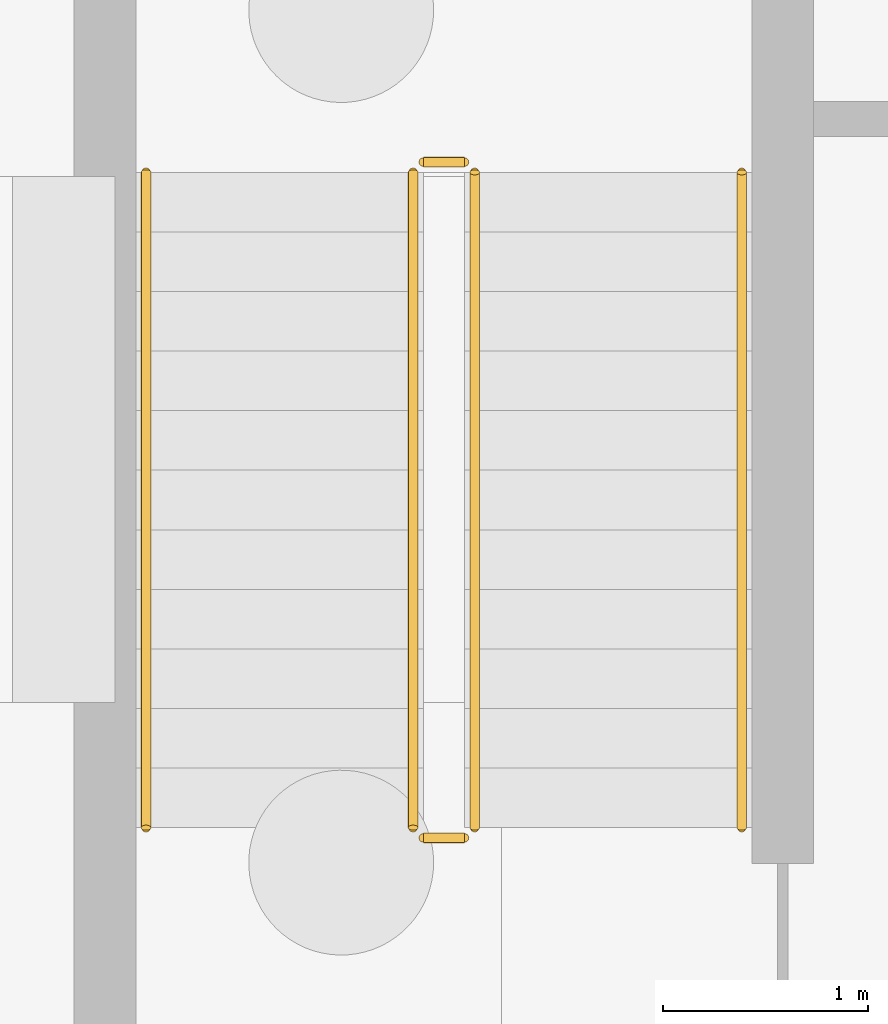
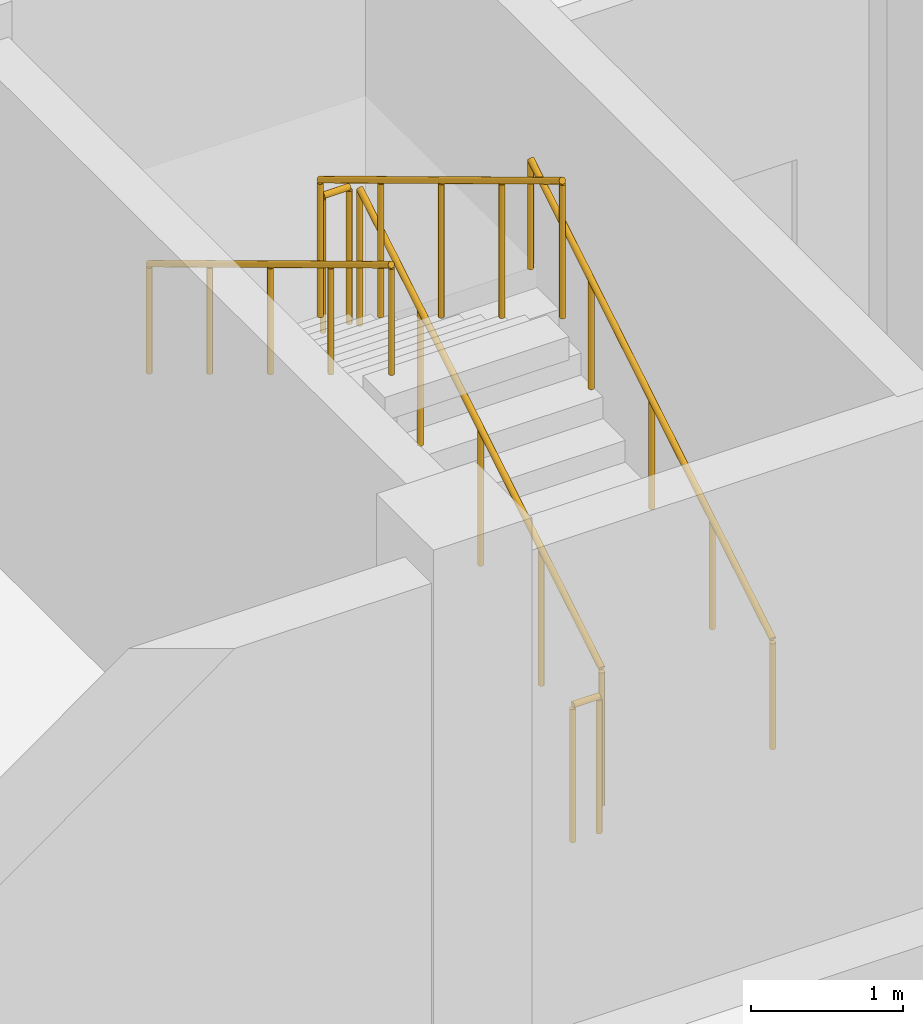
# One storey, part 33 of 36: 6 railings.
"""IFC4 building model written with IfcOpenShell, lengths in metres."""

from ifc_helpers import new_model, si_unit, derived_unit, direction, frame, origin, origin_2d, place, context, subcontext, project, spatial, circle, extrude, material, type_object, element, save


model = new_model("IFC4")

# Units and contexts
model_context = context("Model", 3, precision=1e-05, world=origin(), true_north=direction((0.0, 1.0)))
body_context = subcontext(model_context, "Body", "Model", "MODEL_VIEW")
ifc_project = project(units=[si_unit("LENGTHUNIT", "METRE"), si_unit("AREAUNIT", "SQUARE_METRE"), si_unit("VOLUMEUNIT", "CUBIC_METRE"), si_unit("PLANEANGLEUNIT", "RADIAN"), si_unit("MASSUNIT", "GRAM", prefix="KILO"), derived_unit("THERMALTRANSMITTANCEUNIT", [(si_unit("MASSUNIT", "GRAM", prefix="KILO"), 1), (si_unit("TIMEUNIT", "SECOND"), -3), (si_unit("THERMODYNAMICTEMPERATUREUNIT", "KELVIN"), -1)])], contexts=[model_context])

# Site, building, storey
site_placement = place(None, origin())
site = spatial("IfcSite", under=ifc_project, at=site_placement, CompositionType="ELEMENT")
building_placement = place(site_placement, origin())
building = spatial("IfcBuilding", under=site, at=building_placement, Name="Ochrekiln Boulevard Commons", CompositionType="ELEMENT")
storey_placement = place(building_placement, frame((0.0, 0.0, -4.199951171875)))
storey = spatial("IfcBuildingStorey", under=building, at=storey_placement, Name="B1", CompositionType="ELEMENT", Elevation=-4.199951171875)

# Railings
ifc_material = material(Name="Brushed stainless steel 316 tubular railing", Category="steel")
railing_type_1 = type_object("IfcRailingType", Name="RLG-HDR-900", PredefinedType="HANDRAIL", material=ifc_material)
railing_1_placement = place(storey_placement, frame((159.449951171875, 1.8701171875, 0.175048828125)))
element("IfcRailing", 1, at=railing_1_placement, inside=storey, type_object=railing_type_1, Name="B1 ST-C1 stair handrail 1", PredefinedType="HANDRAIL", context=body_context, shape_type="SweptSolid", body=[
    extrude(circle(Radius=0.02392578125, at=origin_2d()), frame((0.0, 0.0, 0.8759765625), z_axis=(0.0, 0.856206652436, 0.516633495163), x_axis=(-1.0, 0.0, 0.0)), (0.0, 0.0, 1.0), 3.7255859375),
    extrude(circle(Radius=0.02099609375, at=origin_2d()), origin(), (0.0, 0.0, 1.0), 0.851806640625),
    extrude(circle(Radius=0.02099609375, at=origin_2d()), frame((0.0, 0.79736328125, 0.481201171875)), (0.0, 0.0, 1.0), 0.851806640625),
    extrude(circle(Radius=0.02099609375, at=origin_2d()), frame((0.0, 1.594970703125, 0.96240234375)), (0.0, 0.0, 1.0), 0.851806640625),
    extrude(circle(Radius=0.02099609375, at=origin_2d()), frame((0.0, 2.392578125, 1.443603515625)), (0.0, 0.0, 1.0), 0.851806640625),
    extrude(circle(Radius=0.02099609375, at=origin_2d()), frame((0.0, 3.18994140625, 1.9248046875)), (0.0, 0.0, 1.0), 0.851806640625),
])
railing_2_placement = place(storey_placement, frame((156.550048828125, 5.06005859375, 2.27490234375)))
element("IfcRailing", 2, at=railing_2_placement, inside=storey, type_object=railing_type_1, Name="B1 ST-C1 stair handrail 2", PredefinedType="HANDRAIL", context=body_context, shape_type="SweptSolid", body=[
    extrude(circle(Radius=0.02392578125, at=origin_2d()), frame((0.0, 0.0, 0.8759765625), z_axis=(0.0, -0.856177665481, 0.516681531633), x_axis=(1.0, 0.0, 0.0)), (0.0, 0.0, 1.0), 3.725830078125),
    extrude(circle(Radius=0.02099609375, at=origin_2d()), origin(), (0.0, 0.0, 1.0), 0.851806640625),
    extrude(circle(Radius=0.02099609375, at=origin_2d()), frame((0.0, -0.79736328125, 0.481201171875)), (0.0, 0.0, 1.0), 0.851806640625),
    extrude(circle(Radius=0.02099609375, at=origin_2d()), frame((0.0, -1.594970703125, 0.96240234375)), (0.0, 0.0, 1.0), 0.851806640625),
    extrude(circle(Radius=0.02099609375, at=origin_2d()), frame((0.0, -2.392578125, 1.44384765625)), (0.0, 0.0, 1.0), 0.851806640625),
    extrude(circle(Radius=0.02099609375, at=origin_2d()), frame((0.0, -3.18994140625, 1.925048828125)), (0.0, 0.0, 1.0), 0.851806640625),
])
railing_type_2 = type_object("IfcRailingType", Name="RLG-STR-1120", PredefinedType="BALUSTRADE", material=ifc_material)
railing_3_placement = place(storey_placement, frame((158.14990234375, 1.8701171875, 0.175048828125)))
element("IfcRailing", 3, at=railing_3_placement, inside=storey, type_object=railing_type_2, Name="B1 ST-C1 stair guard 1", PredefinedType="BALUSTRADE", context=body_context, shape_type="SweptSolid", body=[
    extrude(circle(Radius=0.02392578125, at=origin_2d()), frame((0.0, 0.0, 1.09619140625), z_axis=(0.0, 0.856206652436, 0.516633495163), x_axis=(-1.0, 0.0, 0.0)), (0.0, 0.0, 1.0), 3.7255859375),
    extrude(circle(Radius=0.02099609375, at=origin_2d()), origin(), (0.0, 0.0, 1.0), 1.072021484375),
    extrude(circle(Radius=0.02099609375, at=origin_2d()), frame((0.0, 0.79736328125, 0.481201171875)), (0.0, 0.0, 1.0), 1.072021484375),
    extrude(circle(Radius=0.02099609375, at=origin_2d()), frame((0.0, 1.594970703125, 0.96240234375)), (0.0, 0.0, 1.0), 1.072021484375),
    extrude(circle(Radius=0.02099609375, at=origin_2d()), frame((0.0, 2.392578125, 1.443603515625)), (0.0, 0.0, 1.0), 1.072021484375),
    extrude(circle(Radius=0.02099609375, at=origin_2d()), frame((0.0, 3.18994140625, 1.9248046875)), (0.0, 0.0, 1.0), 1.072021484375),
])
railing_4_placement = place(storey_placement, frame((158.10009765625, 5.110107421875, 2.099853515625)))
element("IfcRailing", 4, at=railing_4_placement, inside=storey, type_object=railing_type_2, Name="B1 ST-C1 stair guard 2", PredefinedType="BALUSTRADE", context=body_context, shape_type="SweptSolid", body=[
    extrude(circle(Radius=0.02392578125, at=origin_2d()), frame((0.0, 0.0, 1.09619140625), z_axis=(-1.0, 0.0, 0.0), x_axis=(0.0, -1.0, 0.0)), (0.0, 0.0, 1.0), 0.2001953125),
    extrude(circle(Radius=0.02099609375, at=origin_2d()), origin(), (0.0, 0.0, 1.0), 1.072021484375),
    extrude(circle(Radius=0.02099609375, at=origin_2d()), frame((-0.2001953125, 0.0, 0.0)), (0.0, 0.0, 1.0), 1.072021484375),
])
railing_5_placement = place(storey_placement, frame((157.85009765625, 5.06005859375, 2.27490234375)))
element("IfcRailing", 5, at=railing_5_placement, inside=storey, type_object=railing_type_2, Name="B1 ST-C1 stair guard 3", PredefinedType="BALUSTRADE", context=body_context, shape_type="SweptSolid", body=[
    extrude(circle(Radius=0.02392578125, at=origin_2d()), frame((0.0, 0.0, 1.09619140625), z_axis=(0.0, -0.856177665481, 0.516681531633), x_axis=(1.0, 0.0, 0.0)), (0.0, 0.0, 1.0), 3.725830078125),
    extrude(circle(Radius=0.02099609375, at=origin_2d()), origin(), (0.0, 0.0, 1.0), 1.072021484375),
    extrude(circle(Radius=0.02099609375, at=origin_2d()), frame((0.0, -0.79736328125, 0.481201171875)), (0.0, 0.0, 1.0), 1.072021484375),
    extrude(circle(Radius=0.02099609375, at=origin_2d()), frame((0.0, -1.594970703125, 0.96240234375)), (0.0, 0.0, 1.0), 1.072021484375),
    extrude(circle(Radius=0.02099609375, at=origin_2d()), frame((0.0, -2.392578125, 1.44384765625)), (0.0, 0.0, 1.0), 1.072021484375),
    extrude(circle(Radius=0.02099609375, at=origin_2d()), frame((0.0, -3.18994140625, 1.925048828125)), (0.0, 0.0, 1.0), 1.072021484375),
])
railing_6_placement = place(storey_placement, frame((158.10009765625, 1.820068359375, 0.0)))
element("IfcRailing", 6, at=railing_6_placement, inside=storey, type_object=railing_type_2, Name="B1 ST-C1 stair guard 4", PredefinedType="BALUSTRADE", context=body_context, shape_type="SweptSolid", body=[
    extrude(circle(Radius=0.02392578125, at=origin_2d()), frame((0.0, 0.0, 1.09619140625), z_axis=(-1.0, 0.0, 0.0), x_axis=(0.0, -1.0, 0.0)), (0.0, 0.0, 1.0), 0.2001953125),
    extrude(circle(Radius=0.02099609375, at=origin_2d()), origin(), (0.0, 0.0, 1.0), 1.072021484375),
    extrude(circle(Radius=0.02099609375, at=origin_2d()), frame((-0.2001953125, 0.0, 0.0)), (0.0, 0.0, 1.0), 1.072021484375),
])

save(model, "model.ifc")
